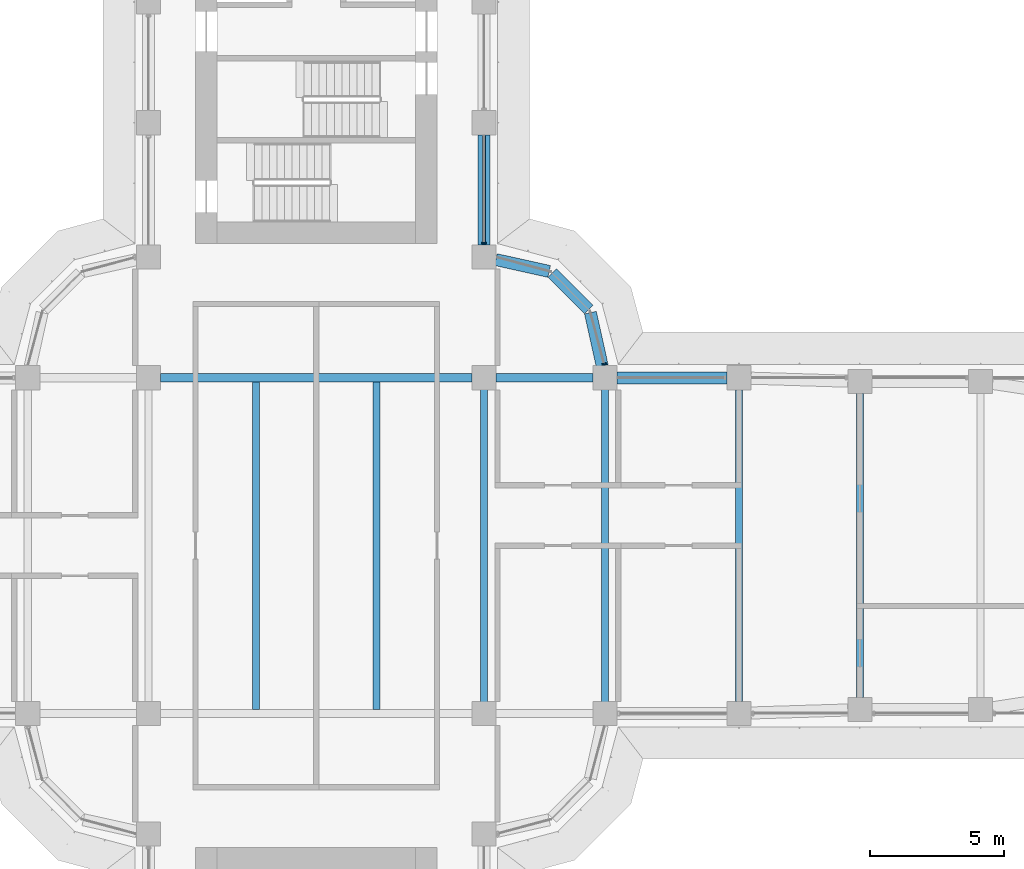
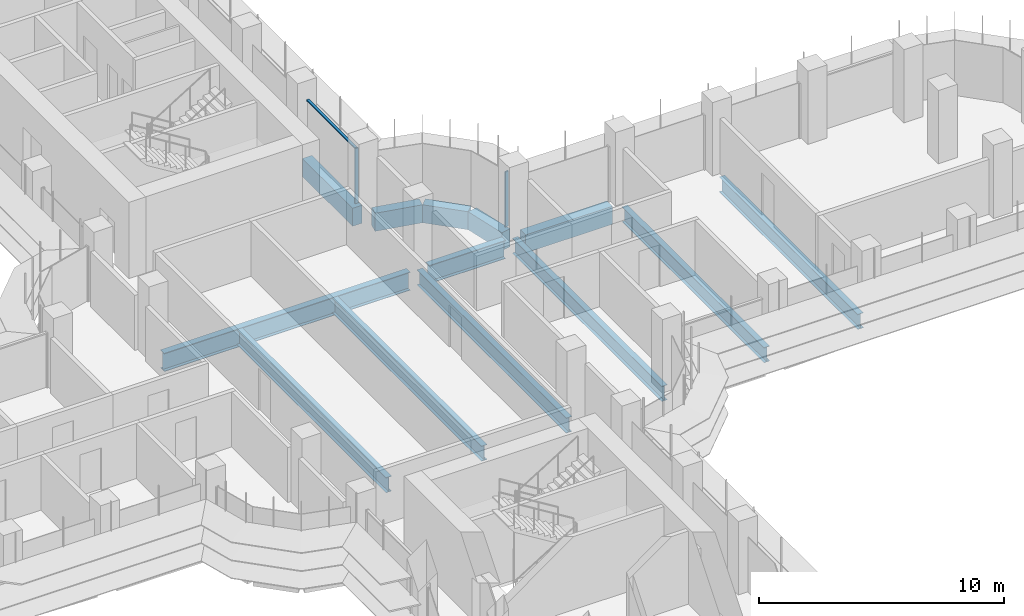
# One storey, part 8 of 23: 13 beams, 3 members, 2 elements without a shape of their own.
"""IFC4 building model written with IfcOpenShell, lengths in metres."""

from ifc_helpers import new_model, si_unit, direction, frame, origin, origin_2d, place, context, subcontext, project, spatial, polyline, rectangle, i_section, outline, extrude, source, transform, mapped, material, material_profile, profile_set, type_object, element, aggregate, save


model = new_model("IFC4")

# Units and contexts
model_context = context("Model", 3, precision=1e-05, world=origin(), true_north=direction((0.0, 1.0)))
body_context = subcontext(model_context, "Body", "Model", "MODEL_VIEW")
ifc_project = project(units=[si_unit("LENGTHUNIT", "METRE"), si_unit("AREAUNIT", "SQUARE_METRE"), si_unit("VOLUMEUNIT", "CUBIC_METRE"), si_unit("PLANEANGLEUNIT", "RADIAN"), si_unit("MASSUNIT", "GRAM", prefix="KILO")], contexts=[model_context])

# Site, building, storey
site_placement = place(None, origin())
site = spatial("IfcSite", under=ifc_project, at=site_placement, CompositionType="ELEMENT")
building_placement = place(site_placement, origin())
building = spatial("IfcBuilding", under=site, at=building_placement, Name="Zarbagh Exchange Tower", CompositionType="ELEMENT")
storey_placement = place(building_placement, frame((0.0, 0.0, 86.60009765625)))
storey = spatial("IfcBuildingStorey", under=building, at=storey_placement, Name="L19", CompositionType="ELEMENT", Elevation=86.60009765625)

# Beams
ifc_material_1 = material(Name="Steel ASTM A992 Gr 50", Category="steel")
ifc_material_profile_1 = material_profile(ifc_material_1, i_section(OverallWidth=0.2666015625, OverallDepth=0.7568359375, WebThickness=0.013916015625, FlangeThickness=0.019287109375, at=origin_2d()), Name="W30X108")
ifc_profile_set_1 = profile_set([ifc_material_profile_1], Name="Steel ASTM A992 Gr 50")
beam_type_1 = type_object("IfcBeamType", Name="Floor beam W30X108", PredefinedType="BEAM", material=ifc_profile_set_1)
for number, where, z_axis, x_axis, name in (
    (1, (-2.25, -6.09765625, -0.528564453125), (0.0, 1.0, 0.0), (-1.0, 0.0, 0.0), "Steel floor beam"),
    (2, (2.25, -6.09765625, -0.528564453125), (0.0, 1.0, 0.0), (-1.0, 0.0, 0.0), "Steel floor beam"),
    (3, (6.25, -6.09765625, -0.528564453125), (0.0, 1.0, 0.0), (-1.0, 0.0, 0.0), "Steel floor beam"),
    (4, (10.75, -6.09765625, -0.528564453125), (0.0, 1.0, 0.0), (-1.0, 0.0, 0.0), "Steel floor beam"),
):
    element("IfcBeam", number, at=place(storey_placement, frame(where, z_axis=z_axis, x_axis=x_axis)), inside=storey, type_object=beam_type_1, Name=name, PredefinedType="BEAM", context=body_context, shape_type="SweptSolid", body=[
        extrude(i_section(OverallWidth=0.2666015625, OverallDepth=0.7568359375, WebThickness=0.013916015625, FlangeThickness=0.019287109375, at=origin_2d()), origin(), (0.0, 0.0, 1.0), 12.1953125),
    ])
beam_1_placement = place(storey_placement, frame((15.75, -5.800048828125, -0.528564453125), z_axis=(0.0, 1.0, 0.0), x_axis=(-1.0, 0.0, 0.0)))
element("IfcBeam", 5, at=beam_1_placement, inside=storey, type_object=beam_type_1, Name="Steel floor beam", PredefinedType="BEAM", context=body_context, shape_type="SweptSolid", body=[
    extrude(i_section(OverallWidth=0.2666015625, OverallDepth=0.7568359375, WebThickness=0.013916015625, FlangeThickness=0.019287109375, at=origin_2d()), origin(), (0.0, 0.0, 1.0), 11.60009765625),
])
beam_2_placement = place(storey_placement, frame((20.25, -5.659912109375, -0.528564453125), z_axis=(0.0, 1.0, 0.0), x_axis=(-1.0, 0.0, 0.0)))
element("IfcBeam", 6, at=beam_2_placement, inside=storey, type_object=beam_type_1, Name="Steel floor beam", PredefinedType="BEAM", context=body_context, shape_type="SweptSolid", body=[
    extrude(i_section(OverallWidth=0.2666015625, OverallDepth=0.7568359375, WebThickness=0.013916015625, FlangeThickness=0.019287109375, at=origin_2d()), origin(), (0.0, 0.0, 1.0), 11.31982421875),
])
ifc_material_profile_2 = material_profile(ifc_material_1, i_section(OverallWidth=0.3046875, OverallDepth=0.911865234375, WebThickness=0.015869140625, FlangeThickness=0.02392578125, at=origin_2d()), Name="W36X150")
ifc_profile_set_2 = profile_set([ifc_material_profile_2], Name="Steel ASTM A992 Gr 50")
beam_type_2 = type_object("IfcBeamType", Name="Floor girder W36X150", PredefinedType="BEAM", material=ifc_profile_set_2)
beam_3_placement = place(storey_placement, frame((-5.800048828125, 6.25, -0.60595703125), z_axis=(1.0, 0.0, 0.0), x_axis=(0.0, 1.0, 0.0)))
element("IfcBeam", 7, at=beam_3_placement, inside=storey, type_object=beam_type_2, Name="Steel girder", PredefinedType="BEAM", context=body_context, shape_type="SweptSolid", body=[
    extrude(i_section(OverallWidth=0.3046875, OverallDepth=0.911865234375, WebThickness=0.015869140625, FlangeThickness=0.02392578125, at=origin_2d()), origin(), (0.0, 0.0, 1.0), 11.60009765625),
])
beam_4_placement = place(storey_placement, frame((6.699951171875, 6.25, -0.60595703125), z_axis=(1.0, 0.0, 0.0), x_axis=(0.0, 1.0, 0.0)))
element("IfcBeam", 8, at=beam_4_placement, inside=storey, type_object=beam_type_2, Name="Steel girder", PredefinedType="BEAM", context=body_context, shape_type="SweptSolid", body=[
    extrude(i_section(OverallWidth=0.3046875, OverallDepth=0.911865234375, WebThickness=0.015869140625, FlangeThickness=0.02392578125, at=origin_2d()), origin(), (0.0, 0.0, 1.0), 3.60009765625),
])
ifc_material_2 = material(Name="Concrete C60/75", Category="concrete")
ifc_material_profile_3 = material_profile(ifc_material_2, rectangle(XDim=0.449951171875, YDim=0.89990234375, at=origin_2d()), Name="RC spandrel beam 450 x 900 C60/75")
ifc_profile_set_3 = profile_set([ifc_material_profile_3], Name="Concrete C60/75")
beam_type_3 = type_object("IfcBeamType", Name="RC spandrel beam 450 x 900 C60/75", PredefinedType="SPANDREL", material=ifc_profile_set_3)
beam_5_placement = place(storey_placement, frame((6.25, 15.300048828125, -0.60009765625), z_axis=(0.0, -1.0, 0.0), x_axis=(1.0, 0.0, 0.0)))
element("IfcBeam", 9, at=beam_5_placement, inside=storey, type_object=beam_type_3, Name="RC spandrel beam", PredefinedType="SPANDREL", context=body_context, shape_type="SweptSolid", body=[
    extrude(rectangle(XDim=0.449951171875, YDim=0.89990234375, at=origin_2d()), origin(), (0.0, 0.0, 1.0), 4.10009765625),
])
beam_6_placement = place(storey_placement, frame((6.689453125, 10.65283203125, -0.60009765625), z_axis=(0.976367325525, -0.216117666208, 0.0), x_axis=(0.216117666208, 0.976367325525, 0.0)))
element("IfcBeam", 10, at=beam_6_placement, inside=storey, type_object=beam_type_3, Name="RC spandrel beam", PredefinedType="SPANDREL", context=body_context, shape_type="SweptSolid", body=[
    extrude(rectangle(XDim=0.449951171875, YDim=0.89990234375, at=origin_2d()), origin(), (0.0, 0.0, 1.0), 2.03564453125),
])
beam_7_placement = place(storey_placement, frame((8.78759765625, 10.15234375, -0.60009765625), z_axis=(0.707106781187, -0.707106781187, 0.0), x_axis=(0.707106781187, 0.707106781187, 0.0)))
element("IfcBeam", 11, at=beam_7_placement, inside=storey, type_object=beam_type_3, Name="RC spandrel beam", PredefinedType="SPANDREL", context=body_context, shape_type="SweptSolid", body=[
    extrude(rectangle(XDim=0.449951171875, YDim=0.89990234375, at=origin_2d()), origin(), (0.0, 0.0, 1.0), 1.929931640625),
])
beam_8_placement = place(storey_placement, frame((10.212890625, 8.677001953125, -0.60009765625), z_axis=(0.216117666208, -0.976367325525, 0.0), x_axis=(0.976367325525, 0.216117666208, 0.0)))
element("IfcBeam", 12, at=beam_8_placement, inside=storey, type_object=beam_type_3, Name="RC spandrel beam", PredefinedType="SPANDREL", context=body_context, shape_type="SweptSolid", body=[
    extrude(rectangle(XDim=0.449951171875, YDim=0.89990234375, at=origin_2d()), origin(), (0.0, 0.0, 1.0), 2.03564453125),
])
beam_9_placement = place(storey_placement, frame((11.199951171875, 6.25, -0.60009765625), z_axis=(1.0, 0.0, 0.0), x_axis=(0.0, 1.0, 0.0)))
element("IfcBeam", 13, at=beam_9_placement, inside=storey, type_object=beam_type_3, Name="RC spandrel beam", PredefinedType="SPANDREL", context=body_context, shape_type="SweptSolid", body=[
    extrude(rectangle(XDim=0.449951171875, YDim=0.89990234375, at=origin_2d()), origin(), (0.0, 0.0, 1.0), 4.10009765625),
])

# Curtain wall, member
ifc_material_3 = material(Name="Anodised aluminium frame and glazing", Category="aluminium")
curtain_wall_type = type_object("IfcCurtainWallType", Name="CWA Ribbon glazing, lower zones", PredefinedType="NOTDEFINED", material=ifc_material_3)
curtain_wall_1_placement = place(storey_placement, origin())
curtain_wall_1 = element("IfcCurtainWall", 14, at=curtain_wall_1_placement, inside=storey, type_object=curtain_wall_type, Name="CWA17 curtain wall", PredefinedType="NOTDEFINED")
ifc_material_4 = material(Name="Anodised aluminium frame", Category="aluminium")
member_type_1 = type_object("IfcMemberType", Name="MUA Mullion, anodised aluminium frame", PredefinedType="MULLION", material=ifc_material_4)
shared_shape_1 = source(origin(), body_context, "Body", "SweptSolid", [
    extrude(outline(polyline([(0.0, -0.080078125), (0.06005859375, -0.080078125), (0.06005859375, 0.080078125), (0.0, 0.080078125), (0.0, -0.080078125)])), origin(), (0.0, 0.0, 1.0), 2.75),
])
placement = place(storey_placement, origin())
member_1 = element("IfcMember", 15, at=placement, type_object=member_type_1, Name="CWA17 mullion 1.1", PredefinedType="MULLION", context=body_context, shape_type="MappedRepresentation", body=[
    mapped(shared_shape_1, transform((10.735107421875, 6.739990234375, 0.0), x_axis=(-0.258824779902, 0.965924289636, 0.0), y_axis=(-0.965924289636, -0.258824779902, 0.0), z_axis=(0.0, 0.0, 1.0))),
])
aggregate(curtain_wall_1, [member_1])

# Curtain wall, members
curtain_wall_2_placement = place(storey_placement, origin())
curtain_wall_2 = element("IfcCurtainWall", 16, at=curtain_wall_2_placement, inside=storey, type_object=curtain_wall_type, Name="CWA20 curtain wall", PredefinedType="NOTDEFINED")
member_2 = element("IfcMember", 17, at=placement, type_object=member_type_1, Name="CWA20 mullion 1.1", PredefinedType="MULLION", context=body_context, shape_type="MappedRepresentation", body=[
    mapped(shared_shape_1, transform((6.25, 11.239990234375, 0.0), x_axis=(0.0, 1.0, 0.0), y_axis=(-1.0, 0.0, 0.0), z_axis=(0.0, 0.0, 1.0))),
])
member_type_2 = type_object("IfcMemberType", Name="TRA Transom, anodised aluminium frame", PredefinedType="USERDEFINED", material=ifc_material_4)
shared_shape_2 = source(origin(), body_context, "Body", "SweptSolid", [
    extrude(outline(polyline([(-0.06005859375, -0.06005859375), (0.0, -0.06005859375), (0.0, 0.06005859375), (-0.06005859375, 0.06005859375), (-0.06005859375, -0.06005859375)])), origin(), (0.0, 0.0, 1.0), 3.9599609375),
])
member_3 = element("IfcMember", 18, at=placement, type_object=member_type_2, Name="CWA20 transom 1.1", ObjectType="TRANSOM", PredefinedType="USERDEFINED", context=body_context, shape_type="MappedRepresentation", body=[
    mapped(shared_shape_2, transform((6.25, 11.300048828125, 2.75), x_axis=(0.0, 0.0, 1.0), y_axis=(1.0, 0.0, 0.0), z_axis=(0.0, 1.0, 0.0))),
])
aggregate(curtain_wall_2, [member_2, member_3])

save(model, "model.ifc")
